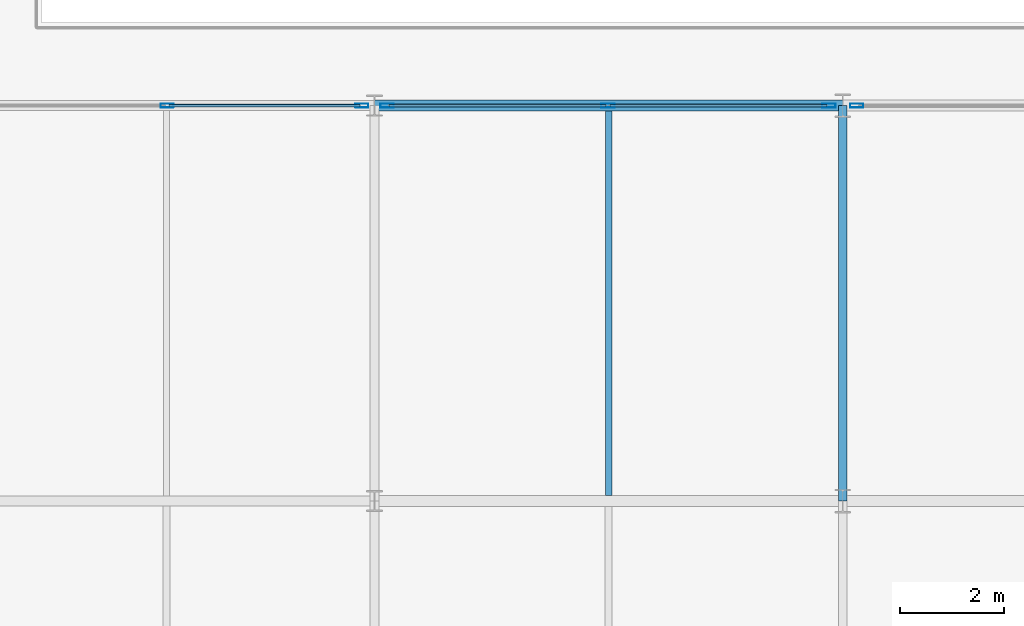
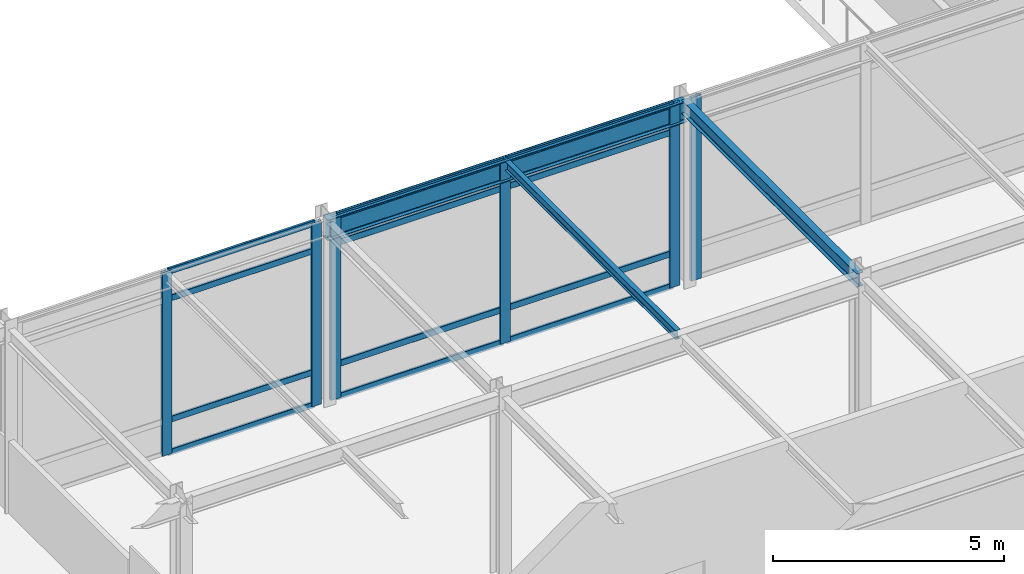
# One storey, part 30 of 113: 18 members, 3 beams, 3 elements without a shape of their own.
"""IFC4 building model written with IfcOpenShell, lengths in metres."""

from ifc_helpers import new_model, si_unit, direction, frame, origin, origin_2d, place, context, subcontext, project, spatial, hollow_rectangle, i_section, extrude, material, layer, layer_set, material_profile, profile_set, type_object, element, aggregate, save


model = new_model("IFC4")

# Units and contexts
model_context = context("Model", 3, precision=1e-05, world=origin(), true_north=direction((0.0, 1.0)))
body_context = subcontext(model_context, "Body", "Model", "MODEL_VIEW")
ifc_project = project(units=[si_unit("LENGTHUNIT", "METRE"), si_unit("AREAUNIT", "SQUARE_METRE"), si_unit("VOLUMEUNIT", "CUBIC_METRE"), si_unit("PLANEANGLEUNIT", "RADIAN"), si_unit("MASSUNIT", "GRAM", prefix="KILO")], contexts=[model_context])

# Site, building, storey
site_placement = place(None, origin())
site = spatial("IfcSite", under=ifc_project, at=site_placement, CompositionType="ELEMENT")
building_placement = place(site_placement, origin())
building = spatial("IfcBuilding", under=site, at=building_placement, Name="Shalkamar Park Central Library", CompositionType="ELEMENT")
storey_placement = place(building_placement, frame((0.0, 0.0, 5.39990234375)))
storey = spatial("IfcBuildingStorey", under=building, at=storey_placement, Name="L02", CompositionType="ELEMENT", Elevation=5.39990234375)

# Beam
ifc_material_1 = material(Name="Steel S355", Category="steel")
ifc_material_profile_1 = material_profile(ifc_material_1, i_section(OverallWidth=0.1201171875, OverallDepth=0.239990234375, WebThickness=0.006103515625, FlangeThickness=0.009765625, FilletRadius=0.014892578125, at=origin_2d()), Name="IPE 240")
ifc_profile_set_1 = profile_set([ifc_material_profile_1], Name="Steel S355")
beam_type_1 = type_object("IfcBeamType", Name="Composite Floor Joist IPE240", PredefinedType="JOIST", material=ifc_profile_set_1)
beam_1_placement = place(storey_placement, frame((241.5, 262.903076171875, 4.739990234375), z_axis=(0.0, 1.0, 0.0), x_axis=(-1.0, 0.0, 0.0)))
element("IfcBeam", 1, at=beam_1_placement, inside=storey, type_object=beam_type_1, Name="Composite Joist 16/D-1 (L02)", PredefinedType="JOIST", context=body_context, shape_type="SweptSolid", body=[
    extrude(i_section(OverallWidth=0.1201171875, OverallDepth=0.239990234375, WebThickness=0.006103515625, FlangeThickness=0.009765625, FilletRadius=0.014892578125, at=origin_2d()), origin(), (0.0, 0.0, 1.0), 7.39404296875),
])

# Curtain wall, members
ifc_material_2 = material(Name="Thermally broken aluminium and triple low-e curtain wall", Category="aluminium")
ifc_layer_1 = layer(ifc_material_2, 0.25)
ifc_layer_set_1 = layer_set([ifc_layer_1], Name="AtriumGlazedScreen_115")
curtain_wall_type_1 = type_object("IfcCurtainWallType", Name="Atrium Glazed Screen 115", PredefinedType="USERDEFINED", material=ifc_layer_set_1)
curtain_wall_1_placement = place(storey_placement, origin())
curtain_wall_1 = element("IfcCurtainWall", 2, at=curtain_wall_1_placement, inside=storey, type_object=curtain_wall_type_1, Name="Atrium Glazed Screen CW-L02-172", ObjectType="ATRIUM GLAZED SCREEN", PredefinedType="USERDEFINED")
ifc_material_3 = material(Name="Aluminium 6060-T66", Category="aluminium")
ifc_material_profile_2 = material_profile(ifc_material_3, hollow_rectangle(XDim=0.074951171875, YDim=0.25, WallThickness=0.00390625, InnerFilletRadius=0.00390625, OuterFilletRadius=0.006103515625, at=origin_2d()), Name="ALU 75x250x4")
ifc_profile_set_2 = profile_set([ifc_material_profile_2], Name="Aluminium 6060-T66")
member_type_1 = type_object("IfcMemberType", Name="Curtain Wall Mullion ALU75x250", PredefinedType="MULLION", material=ifc_profile_set_2)
member_1_placement = place(storey_placement, frame((233.012451171875, 270.39990234375, 0.0), z_axis=(0.0, 0.0, 1.0), x_axis=(0.0, 1.0, 0.0)))
member_1 = element("IfcMember", 3, at=member_1_placement, type_object=member_type_1, Name="CW-115 mullion 2", PredefinedType="MULLION", context=body_context, shape_type="SweptSolid", body=[
    extrude(hollow_rectangle(XDim=0.074951171875, YDim=0.25, WallThickness=0.00390625, InnerFilletRadius=0.00390625, OuterFilletRadius=0.006103515625, at=origin_2d()), origin(), (0.0, 0.0, 1.0), 4.860107421875),
])
member_2_placement = place(storey_placement, frame((236.758544921875, 270.39990234375, 0.0), z_axis=(0.0, 0.0, 1.0), x_axis=(0.0, 1.0, 0.0)))
member_2 = element("IfcMember", 4, at=member_2_placement, type_object=member_type_1, Name="CW-115 mullion 3", PredefinedType="MULLION", context=body_context, shape_type="SweptSolid", body=[
    extrude(hollow_rectangle(XDim=0.074951171875, YDim=0.25, WallThickness=0.00390625, InnerFilletRadius=0.00390625, OuterFilletRadius=0.006103515625, at=origin_2d()), origin(), (0.0, 0.0, 1.0), 4.860107421875),
])

ifc_layer_2 = layer(ifc_material_2, 0.260009765625)
ifc_layer_set_2 = layer_set([ifc_layer_2], Name="AtriumGlazedScreen_116")
curtain_wall_type_2 = type_object("IfcCurtainWallType", Name="Atrium Glazed Screen 116", PredefinedType="USERDEFINED", material=ifc_layer_set_2)
curtain_wall_2_placement = place(storey_placement, origin())
curtain_wall_2 = element("IfcCurtainWall", 5, at=curtain_wall_2_placement, inside=storey, type_object=curtain_wall_type_2, Name="Atrium Glazed Screen CW-L02-173", ObjectType="ATRIUM GLAZED SCREEN", PredefinedType="USERDEFINED")
ifc_material_profile_3 = material_profile(ifc_material_3, hollow_rectangle(XDim=0.074951171875, YDim=0.260009765625, WallThickness=0.00439453125, InnerFilletRadius=0.00439453125, OuterFilletRadius=0.0068359375, at=origin_2d()), Name="ALU 75x260x4.5")
ifc_profile_set_3 = profile_set([ifc_material_profile_3], Name="Aluminium 6060-T66")
member_type_2 = type_object("IfcMemberType", Name="Curtain Wall Mullion ALU75x260", PredefinedType="MULLION", material=ifc_profile_set_3)
member_3_placement = place(storey_placement, frame((237.241455078125, 270.39990234375, 0.0), z_axis=(0.0, 0.0, 1.0), x_axis=(0.0, 1.0, 0.0)))
member_3 = element("IfcMember", 6, at=member_3_placement, type_object=member_type_2, Name="CW-116 mullion 1", PredefinedType="MULLION", context=body_context, shape_type="SweptSolid", body=[
    extrude(hollow_rectangle(XDim=0.074951171875, YDim=0.260009765625, WallThickness=0.00439453125, InnerFilletRadius=0.00439453125, OuterFilletRadius=0.0068359375, at=origin_2d()), origin(), (0.0, 0.0, 1.0), 4.860107421875),
])
member_4_placement = place(storey_placement, frame((241.487548828125, 270.39990234375, 0.0), z_axis=(0.0, 0.0, 1.0), x_axis=(0.0, 1.0, 0.0)))
member_4 = element("IfcMember", 7, at=member_4_placement, type_object=member_type_2, Name="CW-116 mullion 2", PredefinedType="MULLION", context=body_context, shape_type="SweptSolid", body=[
    extrude(hollow_rectangle(XDim=0.074951171875, YDim=0.260009765625, WallThickness=0.00439453125, InnerFilletRadius=0.00439453125, OuterFilletRadius=0.0068359375, at=origin_2d()), origin(), (0.0, 0.0, 1.0), 4.860107421875),
])
member_5_placement = place(storey_placement, frame((245.7333984375, 270.39990234375, 0.0), z_axis=(0.0, 0.0, 1.0), x_axis=(0.0, 1.0, 0.0)))
member_5 = element("IfcMember", 8, at=member_5_placement, type_object=member_type_2, Name="CW-116 mullion 3", PredefinedType="MULLION", context=body_context, shape_type="SweptSolid", body=[
    extrude(hollow_rectangle(XDim=0.074951171875, YDim=0.260009765625, WallThickness=0.00439453125, InnerFilletRadius=0.00439453125, OuterFilletRadius=0.0068359375, at=origin_2d()), origin(), (0.0, 0.0, 1.0), 4.860107421875),
])

# Curtain wall, member
ifc_layer_3 = layer(ifc_material_2, 0.2548828125)
ifc_layer_set_3 = layer_set([ifc_layer_3], Name="AtriumGlazedScreen_117")
curtain_wall_type_3 = type_object("IfcCurtainWallType", Name="Atrium Glazed Screen 117", PredefinedType="USERDEFINED", material=ifc_layer_set_3)
curtain_wall_3_placement = place(storey_placement, origin())
curtain_wall_3 = element("IfcCurtainWall", 9, at=curtain_wall_3_placement, inside=storey, type_object=curtain_wall_type_3, Name="Atrium Glazed Screen CW-L02-174", ObjectType="ATRIUM GLAZED SCREEN", PredefinedType="USERDEFINED")
ifc_material_profile_4 = material_profile(ifc_material_3, hollow_rectangle(XDim=0.080078125, YDim=0.2548828125, WallThickness=0.00439453125, InnerFilletRadius=0.00439453125, OuterFilletRadius=0.0068359375, at=origin_2d()), Name="ALU 80x255x4.5")
ifc_profile_set_4 = profile_set([ifc_material_profile_4], Name="Aluminium 6060-T66")
member_type_3 = type_object("IfcMemberType", Name="Curtain Wall Mullion ALU80x255", PredefinedType="MULLION", material=ifc_profile_set_4)
member_6_placement = place(storey_placement, frame((246.26904296875, 270.39990234375, 0.0), z_axis=(0.0, 0.0, 1.0), x_axis=(0.0, 1.0, 0.0)))
member_6 = element("IfcMember", 10, at=member_6_placement, type_object=member_type_3, Name="CW-117 mullion 1", PredefinedType="MULLION", context=body_context, shape_type="SweptSolid", body=[
    extrude(hollow_rectangle(XDim=0.080078125, YDim=0.2548828125, WallThickness=0.00439453125, InnerFilletRadius=0.00439453125, OuterFilletRadius=0.0068359375, at=origin_2d()), origin(), (0.0, 0.0, 1.0), 4.860107421875),
])
aggregate(curtain_wall_3, [member_6])

# Member
ifc_material_profile_5 = material_profile(ifc_material_3, hollow_rectangle(XDim=0.06005859375, YDim=0.159912109375, WallThickness=0.00390625, InnerFilletRadius=0.00390625, OuterFilletRadius=0.006103515625, at=origin_2d()), Name="ALU 60x160x4")
ifc_profile_set_5 = profile_set([ifc_material_profile_5], Name="Aluminium 6060-T66")
member_type_4 = type_object("IfcMemberType", Name="Curtain Wall Transom ALU60x160", PredefinedType="USERDEFINED", material=ifc_profile_set_5)
member_7_placement = place(storey_placement, frame((233.050048828125, 270.39990234375, 0.030029296875), z_axis=(1.0, 0.0, 0.0), x_axis=(0.0, 1.0, 0.0)))
member_7 = element("IfcMember", 11, at=member_7_placement, type_object=member_type_4, Name="CW-115 transom 2.1", ObjectType="TRANSOM", PredefinedType="USERDEFINED", context=body_context, shape_type="SweptSolid", body=[
    extrude(hollow_rectangle(XDim=0.06005859375, YDim=0.159912109375, WallThickness=0.00390625, InnerFilletRadius=0.00390625, OuterFilletRadius=0.006103515625, at=origin_2d()), origin(), (0.0, 0.0, 1.0), 3.6708984375),
])

member_8_placement = place(storey_placement, frame((233.050048828125, 270.39990234375, 0.900146484375), z_axis=(1.0, 0.0, 0.0), x_axis=(0.0, 1.0, 0.0)))
member_8 = element("IfcMember", 12, at=member_8_placement, type_object=member_type_4, Name="CW-115 transom 2.2", ObjectType="TRANSOM", PredefinedType="USERDEFINED", context=body_context, shape_type="SweptSolid", body=[
    extrude(hollow_rectangle(XDim=0.06005859375, YDim=0.159912109375, WallThickness=0.00390625, InnerFilletRadius=0.00390625, OuterFilletRadius=0.006103515625, at=origin_2d()), origin(), (0.0, 0.0, 1.0), 3.6708984375),
])

member_9_placement = place(storey_placement, frame((233.050048828125, 270.39990234375, 4.110107421875), z_axis=(1.0, 0.0, 0.0), x_axis=(0.0, 1.0, 0.0)))
member_9 = element("IfcMember", 13, at=member_9_placement, type_object=member_type_4, Name="CW-115 transom 2.3", ObjectType="TRANSOM", PredefinedType="USERDEFINED", context=body_context, shape_type="SweptSolid", body=[
    extrude(hollow_rectangle(XDim=0.06005859375, YDim=0.159912109375, WallThickness=0.00390625, InnerFilletRadius=0.00390625, OuterFilletRadius=0.006103515625, at=origin_2d()), origin(), (0.0, 0.0, 1.0), 3.6708984375),
])

member_10_placement = place(storey_placement, frame((233.050048828125, 270.39990234375, 4.830078125), z_axis=(1.0, 0.0, 0.0), x_axis=(0.0, 1.0, 0.0)))
member_10 = element("IfcMember", 14, at=member_10_placement, type_object=member_type_4, Name="CW-115 transom 2.4", ObjectType="TRANSOM", PredefinedType="USERDEFINED", context=body_context, shape_type="SweptSolid", body=[
    extrude(hollow_rectangle(XDim=0.06005859375, YDim=0.159912109375, WallThickness=0.00390625, InnerFilletRadius=0.00390625, OuterFilletRadius=0.006103515625, at=origin_2d()), origin(), (0.0, 0.0, 1.0), 3.6708984375),
])

aggregate(curtain_wall_1, [member_1, member_2, member_7, member_8, member_9, member_10])

ifc_material_profile_6 = material_profile(ifc_material_3, hollow_rectangle(XDim=0.06005859375, YDim=0.1650390625, WallThickness=0.00390625, InnerFilletRadius=0.00390625, OuterFilletRadius=0.006103515625, at=origin_2d()), Name="ALU 60x165x4")
ifc_profile_set_6 = profile_set([ifc_material_profile_6], Name="Aluminium 6060-T66")
member_type_5 = type_object("IfcMemberType", Name="Curtain Wall Transom ALU60x165", PredefinedType="USERDEFINED", material=ifc_profile_set_6)
member_11_placement = place(storey_placement, frame((237.279052734375, 270.39990234375, 0.030029296875), z_axis=(1.0, 0.0, 0.0), x_axis=(0.0, 1.0, 0.0)))
member_11 = element("IfcMember", 15, at=member_11_placement, type_object=member_type_5, Name="CW-116 transom 1.1", ObjectType="TRANSOM", PredefinedType="USERDEFINED", context=body_context, shape_type="SweptSolid", body=[
    extrude(hollow_rectangle(XDim=0.06005859375, YDim=0.1650390625, WallThickness=0.00390625, InnerFilletRadius=0.00390625, OuterFilletRadius=0.006103515625, at=origin_2d()), origin(), (0.0, 0.0, 1.0), 4.1708984375),
])

member_12_placement = place(storey_placement, frame((237.279052734375, 270.39990234375, 0.900146484375), z_axis=(1.0, 0.0, 0.0), x_axis=(0.0, 1.0, 0.0)))
member_12 = element("IfcMember", 16, at=member_12_placement, type_object=member_type_5, Name="CW-116 transom 1.2", ObjectType="TRANSOM", PredefinedType="USERDEFINED", context=body_context, shape_type="SweptSolid", body=[
    extrude(hollow_rectangle(XDim=0.06005859375, YDim=0.1650390625, WallThickness=0.00390625, InnerFilletRadius=0.00390625, OuterFilletRadius=0.006103515625, at=origin_2d()), origin(), (0.0, 0.0, 1.0), 4.1708984375),
])

member_13_placement = place(storey_placement, frame((237.279052734375, 270.39990234375, 4.110107421875), z_axis=(1.0, 0.0, 0.0), x_axis=(0.0, 1.0, 0.0)))
member_13 = element("IfcMember", 17, at=member_13_placement, type_object=member_type_5, Name="CW-116 transom 1.3", ObjectType="TRANSOM", PredefinedType="USERDEFINED", context=body_context, shape_type="SweptSolid", body=[
    extrude(hollow_rectangle(XDim=0.06005859375, YDim=0.1650390625, WallThickness=0.00390625, InnerFilletRadius=0.00390625, OuterFilletRadius=0.006103515625, at=origin_2d()), origin(), (0.0, 0.0, 1.0), 4.1708984375),
])

member_14_placement = place(storey_placement, frame((237.279052734375, 270.39990234375, 4.830078125), z_axis=(1.0, 0.0, 0.0), x_axis=(0.0, 1.0, 0.0)))
member_14 = element("IfcMember", 18, at=member_14_placement, type_object=member_type_5, Name="CW-116 transom 1.4", ObjectType="TRANSOM", PredefinedType="USERDEFINED", context=body_context, shape_type="SweptSolid", body=[
    extrude(hollow_rectangle(XDim=0.06005859375, YDim=0.1650390625, WallThickness=0.00390625, InnerFilletRadius=0.00390625, OuterFilletRadius=0.006103515625, at=origin_2d()), origin(), (0.0, 0.0, 1.0), 4.1708984375),
])

member_15_placement = place(storey_placement, frame((241.52490234375, 270.39990234375, 0.030029296875), z_axis=(1.0, 0.0, 0.0), x_axis=(0.0, 1.0, 0.0)))
member_15 = element("IfcMember", 19, at=member_15_placement, type_object=member_type_5, Name="CW-116 transom 2.1", ObjectType="TRANSOM", PredefinedType="USERDEFINED", context=body_context, shape_type="SweptSolid", body=[
    extrude(hollow_rectangle(XDim=0.06005859375, YDim=0.1650390625, WallThickness=0.00390625, InnerFilletRadius=0.00390625, OuterFilletRadius=0.006103515625, at=origin_2d()), origin(), (0.0, 0.0, 1.0), 4.171142578125),
])

member_16_placement = place(storey_placement, frame((241.52490234375, 270.39990234375, 0.900146484375), z_axis=(1.0, 0.0, 0.0), x_axis=(0.0, 1.0, 0.0)))
member_16 = element("IfcMember", 20, at=member_16_placement, type_object=member_type_5, Name="CW-116 transom 2.2", ObjectType="TRANSOM", PredefinedType="USERDEFINED", context=body_context, shape_type="SweptSolid", body=[
    extrude(hollow_rectangle(XDim=0.06005859375, YDim=0.1650390625, WallThickness=0.00390625, InnerFilletRadius=0.00390625, OuterFilletRadius=0.006103515625, at=origin_2d()), origin(), (0.0, 0.0, 1.0), 4.171142578125),
])

member_17_placement = place(storey_placement, frame((241.52490234375, 270.39990234375, 4.110107421875), z_axis=(1.0, 0.0, 0.0), x_axis=(0.0, 1.0, 0.0)))
member_17 = element("IfcMember", 21, at=member_17_placement, type_object=member_type_5, Name="CW-116 transom 2.3", ObjectType="TRANSOM", PredefinedType="USERDEFINED", context=body_context, shape_type="SweptSolid", body=[
    extrude(hollow_rectangle(XDim=0.06005859375, YDim=0.1650390625, WallThickness=0.00390625, InnerFilletRadius=0.00390625, OuterFilletRadius=0.006103515625, at=origin_2d()), origin(), (0.0, 0.0, 1.0), 4.171142578125),
])

member_18_placement = place(storey_placement, frame((241.52490234375, 270.39990234375, 4.830078125), z_axis=(1.0, 0.0, 0.0), x_axis=(0.0, 1.0, 0.0)))
member_18 = element("IfcMember", 22, at=member_18_placement, type_object=member_type_5, Name="CW-116 transom 2.4", ObjectType="TRANSOM", PredefinedType="USERDEFINED", context=body_context, shape_type="SweptSolid", body=[
    extrude(hollow_rectangle(XDim=0.06005859375, YDim=0.1650390625, WallThickness=0.00390625, InnerFilletRadius=0.00390625, OuterFilletRadius=0.006103515625, at=origin_2d()), origin(), (0.0, 0.0, 1.0), 4.171142578125),
])

aggregate(curtain_wall_2, [member_3, member_4, member_5, member_11, member_12, member_13, member_14, member_15, member_16, member_17, member_18])

# Beams
ifc_material_profile_7 = material_profile(ifc_material_1, i_section(OverallWidth=0.169921875, OverallDepth=0.360107421875, WebThickness=0.008056640625, FlangeThickness=0.0126953125, FilletRadius=0.01806640625, at=origin_2d()), Name="IPE 360")
ifc_profile_set_7 = profile_set([ifc_material_profile_7], Name="Steel S355")
beam_type_2 = type_object("IfcBeamType", Name="Primary Girder IPE360", PredefinedType="BEAM", material=ifc_profile_set_7)
beam_2_placement = place(storey_placement, frame((246.0, 262.800048828125, 4.68017578125), z_axis=(0.0, 1.0, 0.0), x_axis=(-1.0, 0.0, 0.0)))
element("IfcBeam", 23, at=beam_2_placement, inside=storey, type_object=beam_type_2, Name="Beam 17:D-E (L02)", PredefinedType="BEAM", context=body_context, shape_type="SweptSolid", body=[
    extrude(i_section(OverallWidth=0.169921875, OverallDepth=0.360107421875, WebThickness=0.008056640625, FlangeThickness=0.0126953125, FilletRadius=0.01806640625, at=origin_2d()), origin(), (0.0, 0.0, 1.0), 7.599853515625),
])
ifc_material_profile_8 = material_profile(ifc_material_1, i_section(OverallWidth=0.2099609375, OverallDepth=0.550048828125, WebThickness=0.010986328125, FlangeThickness=0.01708984375, FilletRadius=0.02392578125, at=origin_2d()), Name="IPE 550")
ifc_profile_set_8 = profile_set([ifc_material_profile_8], Name="Steel S355")
beam_type_3 = type_object("IfcBeamType", Name="Primary Girder IPE550", PredefinedType="BEAM", material=ifc_profile_set_8)
beam_3_placement = place(storey_placement, frame((237.0, 270.39990234375, 4.585205078125), z_axis=(1.0, 0.0, 0.0), x_axis=(0.0, 1.0, 0.0)))
element("IfcBeam", 24, at=beam_3_placement, inside=storey, type_object=beam_type_3, Name="Beam E:16-17 (L02)", PredefinedType="BEAM", context=body_context, shape_type="SweptSolid", body=[
    extrude(i_section(OverallWidth=0.2099609375, OverallDepth=0.550048828125, WebThickness=0.010986328125, FlangeThickness=0.01708984375, FilletRadius=0.02392578125, at=origin_2d()), origin(), (0.0, 0.0, 1.0), 9.0),
])

save(model, "model.ifc")
